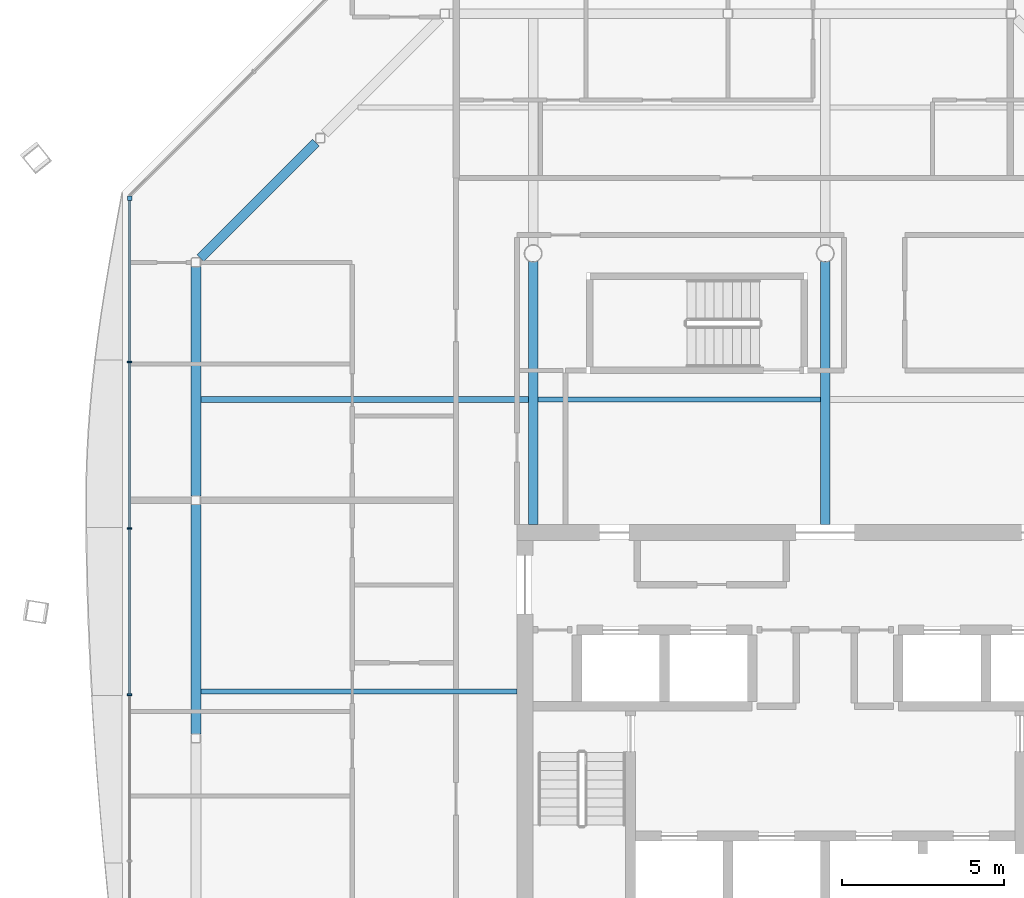
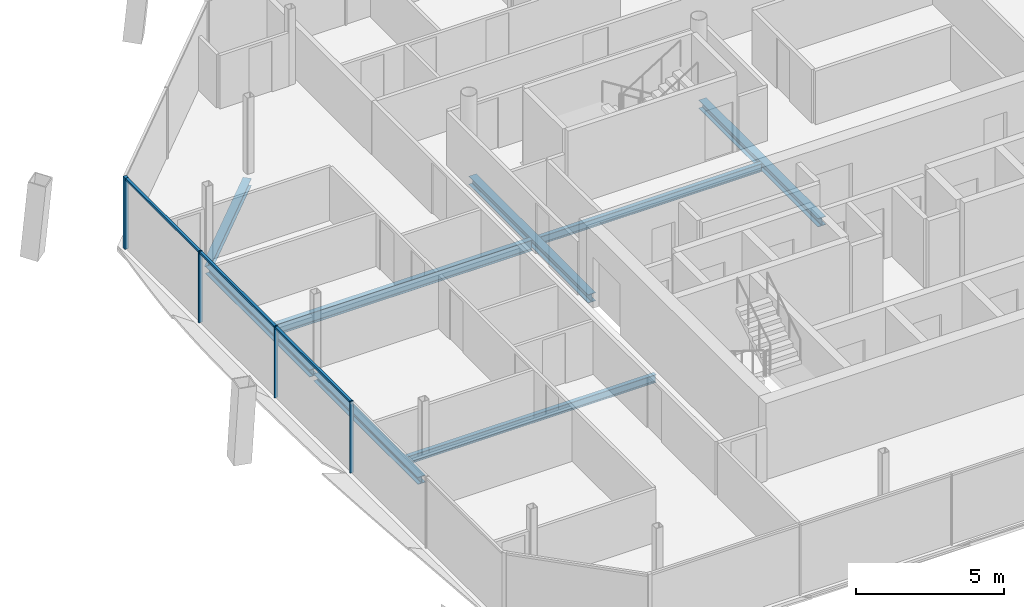
# One storey, part 6 of 17: 8 beams, 7 members, 1 element without a shape of its own.
"""IFC4 building model written with IfcOpenShell, lengths in metres."""

from ifc_helpers import new_model, si_unit, direction, frame, origin, origin_2d, place, context, subcontext, project, spatial, rectangle, i_section, extrude, material, material_profile, profile_set, type_object, element, aggregate, save


model = new_model("IFC4")

# Units and contexts
model_context = context("Model", 3, precision=1e-05, world=origin(), true_north=direction((0.0, 1.0)))
body_context = subcontext(model_context, "Body", "Model", "MODEL_VIEW")
ifc_project = project(units=[si_unit("LENGTHUNIT", "METRE"), si_unit("AREAUNIT", "SQUARE_METRE"), si_unit("VOLUMEUNIT", "CUBIC_METRE"), si_unit("PLANEANGLEUNIT", "RADIAN"), si_unit("MASSUNIT", "GRAM", prefix="KILO")], contexts=[model_context])

# Site, building, storey
site_placement = place(None, origin())
site = spatial("IfcSite", under=ifc_project, at=site_placement, CompositionType="ELEMENT")
building_placement = place(site_placement, origin())
building = spatial("IfcBuilding", under=site, at=building_placement, Name="Tskaro Facet Tower", CompositionType="ELEMENT")
storey_placement = place(building_placement, frame((0.0, 0.0, 229.800048828125)))
storey = spatial("IfcBuildingStorey", under=building, at=storey_placement, Name="L59", CompositionType="ELEMENT", Elevation=229.800048828125)

# Curtain wall, members
ifc_material_1 = material(Name="Bronze anodised aluminium 6063-T6", Category="aluminium")
curtain_wall_type = type_object("IfcCurtainWallType", Name="Bronze residence curtain wall (FW3)", PredefinedType="NOTDEFINED", material=ifc_material_1)
curtain_wall_placement = place(storey_placement, origin())
curtain_wall = element("IfcCurtainWall", 1, at=curtain_wall_placement, inside=storey, type_object=curtain_wall_type, Name="FW3 west facet L59", PredefinedType="NOTDEFINED")
ifc_material_profile_1 = material_profile(ifc_material_1, rectangle(XDim=0.139892578125, YDim=0.139892578125, at=origin_2d()), Name="Corner post 140x140")
ifc_profile_set_1 = profile_set([ifc_material_profile_1], Name="Bronze anodised aluminium 6063-T6")
member_type_1 = type_object("IfcMemberType", Name="FW3 bronze corner post 140x140", PredefinedType="MULLION", material=ifc_profile_set_1)
member_1_placement = place(storey_placement, frame((-21.43701171875, 10.708984375, 0.0), z_axis=(0.0, 0.0, 1.0), x_axis=(0.0, -1.0, 0.0)))
member_1 = element("IfcMember", 2, at=member_1_placement, type_object=member_type_1, Name="FW3 west corner post", PredefinedType="MULLION", context=body_context, shape_type="SweptSolid", body=[
    extrude(rectangle(XDim=0.139892578125, YDim=0.139892578125, at=origin_2d()), origin(), (0.0, 0.0, 1.0), 2.949951171875),
])
ifc_material_profile_2 = material_profile(ifc_material_1, rectangle(XDim=0.050048828125, YDim=0.139892578125, at=origin_2d()), Name="Mullion 50x140")
ifc_profile_set_2 = profile_set([ifc_material_profile_2], Name="Bronze anodised aluminium 6063-T6")
member_type_2 = type_object("IfcMemberType", Name="FW3 bronze mullion 50x140", PredefinedType="MULLION", material=ifc_profile_set_2)
member_2_placement = place(storey_placement, frame((-21.43701171875, 5.654296875, 0.0), z_axis=(0.0, 0.0, 1.0), x_axis=(0.0, -1.0, 0.0)))
member_2 = element("IfcMember", 3, at=member_2_placement, type_object=member_type_2, Name="FW3 west mullion 1", PredefinedType="MULLION", context=body_context, shape_type="SweptSolid", body=[
    extrude(rectangle(XDim=0.050048828125, YDim=0.139892578125, at=origin_2d()), origin(), (0.0, 0.0, 1.0), 2.949951171875),
])
member_3_placement = place(storey_placement, frame((-21.43701171875, 0.52978515625, 0.0), z_axis=(0.0, 0.0, 1.0), x_axis=(0.0, -1.0, 0.0)))
member_3 = element("IfcMember", 4, at=member_3_placement, type_object=member_type_2, Name="FW3 west mullion 2", PredefinedType="MULLION", context=body_context, shape_type="SweptSolid", body=[
    extrude(rectangle(XDim=0.050048828125, YDim=0.139892578125, at=origin_2d()), origin(), (0.0, 0.0, 1.0), 2.949951171875),
])
member_4_placement = place(storey_placement, frame((-21.43701171875, -4.5947265625, 0.0), z_axis=(0.0, 0.0, 1.0), x_axis=(0.0, -1.0, 0.0)))
member_4 = element("IfcMember", 5, at=member_4_placement, type_object=member_type_2, Name="FW3 west mullion 3", PredefinedType="MULLION", context=body_context, shape_type="SweptSolid", body=[
    extrude(rectangle(XDim=0.050048828125, YDim=0.139892578125, at=origin_2d()), origin(), (0.0, 0.0, 1.0), 2.949951171875),
])
ifc_material_profile_3 = material_profile(ifc_material_1, rectangle(XDim=0.10009765625, YDim=0.090087890625, at=origin_2d()), Name="Transom 100x90")
ifc_profile_set_3 = profile_set([ifc_material_profile_3], Name="Bronze anodised aluminium 6063-T6")
member_type_3 = type_object("IfcMemberType", Name="FW3 bronze transom 100x90", PredefinedType="USERDEFINED", material=ifc_profile_set_3)
member_5_placement = place(storey_placement, frame((-21.43701171875, 10.638916015625, 2.905029296875), z_axis=(0.0, -1.0, 0.0), x_axis=(1.0, 0.0, 0.0)))
member_5 = element("IfcMember", 6, at=member_5_placement, type_object=member_type_3, Name="FW3 west transom 1.1", ObjectType="TRANSOM", PredefinedType="USERDEFINED", context=body_context, shape_type="SweptSolid", body=[
    extrude(rectangle(XDim=0.10009765625, YDim=0.090087890625, at=origin_2d()), origin(), (0.0, 0.0, 1.0), 4.95947265625),
])
member_6_placement = place(storey_placement, frame((-21.43701171875, 5.62939453125, 2.905029296875), z_axis=(0.0, -1.0, 0.0), x_axis=(1.0, 0.0, 0.0)))
member_6 = element("IfcMember", 7, at=member_6_placement, type_object=member_type_3, Name="FW3 west transom 2.1", ObjectType="TRANSOM", PredefinedType="USERDEFINED", context=body_context, shape_type="SweptSolid", body=[
    extrude(rectangle(XDim=0.10009765625, YDim=0.090087890625, at=origin_2d()), origin(), (0.0, 0.0, 1.0), 5.07470703125),
])
member_7_placement = place(storey_placement, frame((-21.43701171875, 0.5048828125, 2.905029296875), z_axis=(0.0, -1.0, 0.0), x_axis=(1.0, 0.0, 0.0)))
member_7 = element("IfcMember", 8, at=member_7_placement, type_object=member_type_3, Name="FW3 west transom 3.1", ObjectType="TRANSOM", PredefinedType="USERDEFINED", context=body_context, shape_type="SweptSolid", body=[
    extrude(rectangle(XDim=0.10009765625, YDim=0.090087890625, at=origin_2d()), origin(), (0.0, 0.0, 1.0), 5.07470703125),
])
aggregate(curtain_wall, [member_1, member_2, member_3, member_4, member_5, member_6, member_7])

# Beams
ifc_material_2 = material(Name="Steel S355J2", Category="steel")
ifc_material_profile_4 = material_profile(ifc_material_2, i_section(OverallWidth=0.300048828125, OverallDepth=0.300048828125, WebThickness=0.010986328125, FlangeThickness=0.01904296875, FilletRadius=0.027099609375, at=origin_2d()), Name="HE 300 B")
ifc_profile_set_4 = profile_set([ifc_material_profile_4], Name="Steel S355J2")
beam_type_1 = type_object("IfcBeamType", Name="HE 300 B ring beam", PredefinedType="BEAM", material=ifc_profile_set_4)
beam_1_placement = place(storey_placement, frame((-15.69384765625, 12.422119140625, -0.2900390625), z_axis=(-0.707106781187, -0.707106781187, 0.0), x_axis=(0.707106781187, -0.707106781187, 0.0)))
element("IfcBeam", 9, at=beam_1_placement, inside=storey, type_object=beam_type_1, Name="HE 300 B EB13-5", PredefinedType="BEAM", context=body_context, shape_type="SweptSolid", body=[
    extrude(i_section(OverallWidth=0.300048828125, OverallDepth=0.300048828125, WebThickness=0.010986328125, FlangeThickness=0.01904296875, FilletRadius=0.027099609375, at=origin_2d()), origin(), (0.0, 0.0, 1.0), 5.036376953125),
])
beam_2_placement = place(storey_placement, frame((-19.39111328125, 8.594970703125, -0.2900390625), z_axis=(0.0, -1.0, 0.0), x_axis=(1.0, 0.0, 0.0)))
element("IfcBeam", 10, at=beam_2_placement, inside=storey, type_object=beam_type_1, Name="HE 300 B EB14-5", PredefinedType="BEAM", context=body_context, shape_type="SweptSolid", body=[
    extrude(i_section(OverallWidth=0.300048828125, OverallDepth=0.300048828125, WebThickness=0.010986328125, FlangeThickness=0.01904296875, FilletRadius=0.027099609375, at=origin_2d()), origin(), (0.0, 0.0, 1.0), 7.071044921875),
])
beam_3_placement = place(storey_placement, frame((-19.39111328125, 1.263916015625, -0.2900390625), z_axis=(0.0, -1.0, 0.0), x_axis=(1.0, 0.0, 0.0)))
element("IfcBeam", 11, at=beam_3_placement, inside=storey, type_object=beam_type_1, Name="HE 300 B EB15-5", PredefinedType="BEAM", context=body_context, shape_type="SweptSolid", body=[
    extrude(i_section(OverallWidth=0.300048828125, OverallDepth=0.300048828125, WebThickness=0.010986328125, FlangeThickness=0.01904296875, FilletRadius=0.027099609375, at=origin_2d()), origin(), (0.0, 0.0, 1.0), 7.07080078125),
])
ifc_material_profile_5 = material_profile(ifc_material_2, i_section(OverallWidth=0.300048828125, OverallDepth=0.35009765625, WebThickness=0.010009765625, FlangeThickness=0.017578125, FilletRadius=0.027099609375, at=origin_2d()), Name="HE 360 A")
ifc_profile_set_5 = profile_set([ifc_material_profile_5], Name="Steel S355J2")
beam_type_2 = type_object("IfcBeamType", Name="HE 360 A girder", PredefinedType="BEAM", material=ifc_profile_set_5)
for number, where, z_axis, x_axis, name in (
    (12, (-9.0, 0.64990234375, -0.31494140625), (0.0, 1.0, 0.0), (-1.0, 0.0, 0.0), "HE 360 A GB3-2-5"),
    (13, (0.0, 0.64990234375, -0.31494140625), (0.0, 1.0, 0.0), (-1.0, 0.0, 0.0), "HE 360 A GB4-2-5"),
):
    element("IfcBeam", number, at=place(storey_placement, frame(where, z_axis=z_axis, x_axis=x_axis)), inside=storey, type_object=beam_type_2, Name=name, PredefinedType="BEAM", context=body_context, shape_type="SweptSolid", body=[
        extrude(i_section(OverallWidth=0.300048828125, OverallDepth=0.35009765625, WebThickness=0.010009765625, FlangeThickness=0.017578125, FilletRadius=0.027099609375, at=origin_2d()), origin(), (0.0, 0.0, 1.0), 8.1005859375),
    ])
ifc_material_profile_6 = material_profile(ifc_material_2, i_section(OverallWidth=0.159912109375, OverallDepth=0.330078125, WebThickness=0.007568359375, FlangeThickness=0.011474609375, FilletRadius=0.01806640625, at=origin_2d()), Name="IPE 330")
ifc_profile_set_6 = profile_set([ifc_material_profile_6], Name="Steel S355J2")
beam_type_3 = type_object("IfcBeamType", Name="IPE 330 secondary beam", PredefinedType="BEAM", material=ifc_profile_set_6)
beam_4_placement = place(storey_placement, frame((-19.240966796875, -4.5, -0.304931640625), z_axis=(1.0, 0.0, 0.0), x_axis=(0.0, 1.0, 0.0)))
element("IfcBeam", 14, at=beam_4_placement, inside=storey, type_object=beam_type_3, Name="IPE 330 SB3a-1-5", PredefinedType="BEAM", context=body_context, shape_type="SweptSolid", body=[
    extrude(i_section(OverallWidth=0.159912109375, OverallDepth=0.330078125, WebThickness=0.007568359375, FlangeThickness=0.011474609375, FilletRadius=0.01806640625, at=origin_2d()), origin(), (0.0, 0.0, 1.0), 9.740966796875),
])
beam_5_placement = place(storey_placement, frame((-8.85009765625, 4.5, -0.304931640625), z_axis=(1.0, 0.0, 0.0), x_axis=(0.0, 1.0, 0.0)))
element("IfcBeam", 15, at=beam_5_placement, inside=storey, type_object=beam_type_3, Name="IPE 330 SB4a-2-5", PredefinedType="BEAM", context=body_context, shape_type="SweptSolid", body=[
    extrude(i_section(OverallWidth=0.159912109375, OverallDepth=0.330078125, WebThickness=0.007568359375, FlangeThickness=0.011474609375, FilletRadius=0.01806640625, at=origin_2d()), origin(), (0.0, 0.0, 1.0), 8.7001953125),
])
ifc_material_profile_7 = material_profile(ifc_material_2, i_section(OverallWidth=0.18994140625, OverallDepth=0.449951171875, WebThickness=0.009521484375, FlangeThickness=0.0146484375, FilletRadius=0.02099609375, at=origin_2d()), Name="IPE 450")
ifc_profile_set_7 = profile_set([ifc_material_profile_7], Name="Steel S355J2")
beam_type_4 = type_object("IfcBeamType", Name="IPE 450 long secondary beam", PredefinedType="BEAM", material=ifc_profile_set_7)
beam_6_placement = place(storey_placement, frame((-19.240966796875, 4.5, -0.364990234375), z_axis=(1.0, 0.0, 0.0), x_axis=(0.0, 1.0, 0.0)))
element("IfcBeam", 16, at=beam_6_placement, inside=storey, type_object=beam_type_4, Name="IPE 450 LSB4a-1-5", PredefinedType="BEAM", context=body_context, shape_type="SweptSolid", body=[
    extrude(i_section(OverallWidth=0.18994140625, OverallDepth=0.449951171875, WebThickness=0.009521484375, FlangeThickness=0.0146484375, FilletRadius=0.02099609375, at=origin_2d()), origin(), (0.0, 0.0, 1.0), 10.091064453125),
])

save(model, "model.ifc")
